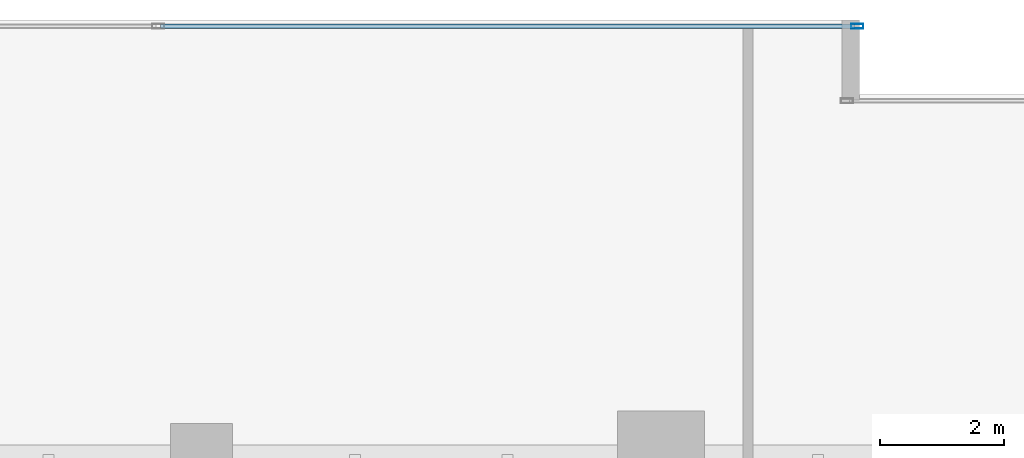
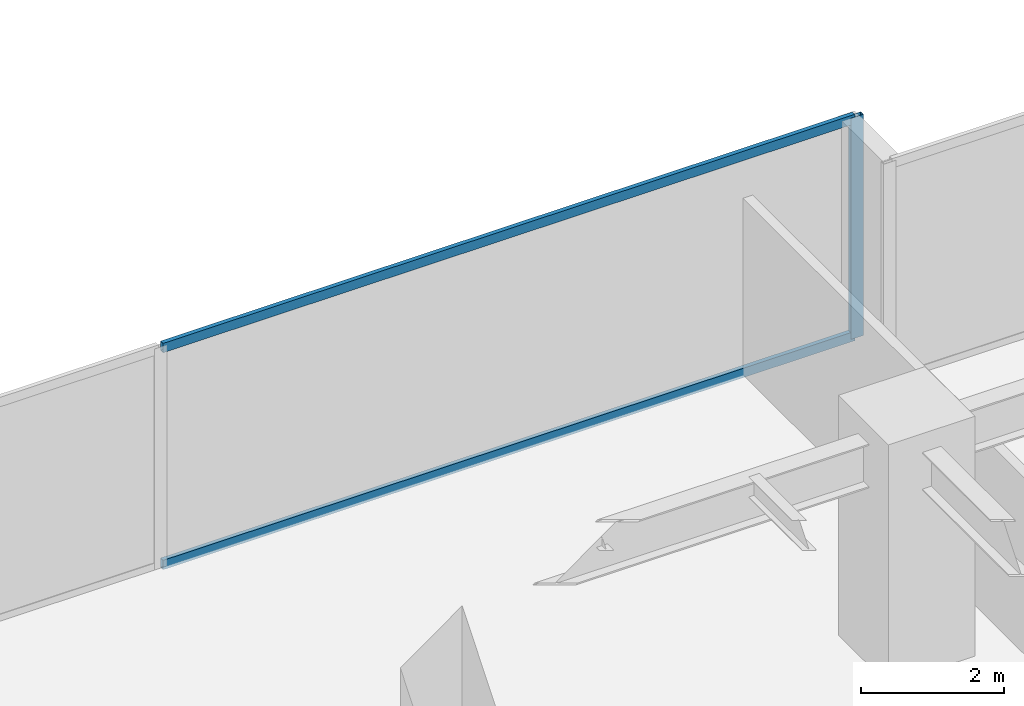
# One storey, part 16 of 35: 3 members, 1 element without a shape of its own.
"""IFC4 building model written with IfcOpenShell, lengths in metres."""

from ifc_helpers import new_model, si_unit, direction, frame, origin, origin_2d, place, context, subcontext, project, spatial, hollow_rectangle, extrude, source, transform, mapped, material, layer, layer_set, material_profile, profile_set, type_object, type_shapes, element, aggregate, save


model = new_model("IFC4")

# Units and contexts
model_context = context("Model", 3, precision=1e-05, world=origin(), true_north=direction((0.0, 1.0)))
body_context = subcontext(model_context, "Body", "Model", "MODEL_VIEW")
ifc_project = project(units=[si_unit("LENGTHUNIT", "METRE"), si_unit("AREAUNIT", "SQUARE_METRE"), si_unit("VOLUMEUNIT", "CUBIC_METRE"), si_unit("PLANEANGLEUNIT", "RADIAN"), si_unit("MASSUNIT", "GRAM", prefix="KILO")], contexts=[model_context])

# Site, building, storey
site_placement = place(None, origin())
site = spatial("IfcSite", under=ifc_project, at=site_placement, CompositionType="ELEMENT")
building_placement = place(site_placement, origin())
building = spatial("IfcBuilding", under=site, at=building_placement, Name="Haelvirn Gate Laboratories", CompositionType="ELEMENT")
storey_placement = place(building_placement, frame((0.0, 0.0, 86.699951171875)))
storey = spatial("IfcBuildingStorey", under=building, at=storey_placement, Name="L21", CompositionType="ELEMENT", Elevation=86.699951171875)

# Curtain wall, members
ifc_material_1 = material(Name="Anodised bronze unitised aluminium & triple low-E glass", Category="aluminium")
ifc_layer = layer(ifc_material_1, 0.18408203125, Name="CW-SYS-2")
ifc_layer_set = layer_set([ifc_layer], Name="Anodised bronze unitised aluminium & triple low-E glass")
curtain_wall_type = type_object("IfcCurtainWallType", Name="CW-SYS-2", PredefinedType="NOTDEFINED", material=ifc_layer_set)
curtain_wall_placement = place(storey_placement, origin())
curtain_wall = element("IfcCurtainWall", 1, at=curtain_wall_placement, inside=storey, type_object=curtain_wall_type, Name="L21 Unitised Curtain Wall CW-L21-P0-E14-1", PredefinedType="NOTDEFINED")
ifc_material_2 = material(Name="Extruded aluminium 6063-T6 (anodised bronze)", Category="aluminium")
ifc_material_profile_1 = material_profile(ifc_material_2, hollow_rectangle(XDim=0.074951171875, YDim=0.199951171875, WallThickness=0.0048828125, at=origin_2d()), Name="CWM-200x75x5")
ifc_profile_set_1 = profile_set([ifc_material_profile_1], Name="Extruded aluminium 6063-T6 (anodised bronze)")
member_type_1 = type_object("IfcMemberType", Name="CWM-T200", PredefinedType="MULLION", material=ifc_profile_set_1)
shared_shape_1 = source(origin(), body_context, "Body", "SweptSolid", [
    extrude(hollow_rectangle(XDim=0.074951171875, YDim=0.199951171875, WallThickness=0.0048828125, at=origin_2d()), origin(), (0.0, 0.0, 1.0), 3.780029296875),
])
type_shapes(member_type_1, [shared_shape_1])
member_1_placement = place(storey_placement, frame((25.362548828125, 48.5, 0.0), z_axis=(0.0, 0.0, 1.0), x_axis=(0.0, 1.0, 0.0)))
member_1 = element("IfcMember", 2, at=member_1_placement, type_object=member_type_1, Name="CW2 mullion 3", PredefinedType="MULLION", context=body_context, shape_type="MappedRepresentation", body=[
    mapped(shared_shape_1, transform((0.0, 0.0, 0.0), scale=1.0)),
])
ifc_material_profile_2 = material_profile(ifc_material_2, hollow_rectangle(XDim=0.070068359375, YDim=0.159912109375, WallThickness=0.0048828125, at=origin_2d()), Name="CWT-160x70x5")
ifc_profile_set_2 = profile_set([ifc_material_profile_2], Name="Extruded aluminium 6063-T6 (anodised bronze)")
member_type_2 = type_object("IfcMemberType", Name="CWT-T160", PredefinedType="USERDEFINED", material=ifc_profile_set_2)
shared_shape_2 = source(origin(), body_context, "Body", "SweptSolid", [
    extrude(hollow_rectangle(XDim=0.070068359375, YDim=0.159912109375, WallThickness=0.0048828125, at=origin_2d()), origin(), (0.0, 0.0, 1.0), 11.1875),
])
type_shapes(member_type_2, [shared_shape_2])
member_2_placement = place(storey_placement, frame((14.137451171875, 48.5, 0.03515625), z_axis=(1.0, 0.0, 0.0), x_axis=(0.0, 1.0, 0.0)))
member_2 = element("IfcMember", 3, at=member_2_placement, type_object=member_type_2, Name="CW2 transom 2.1", ObjectType="TRANSOM", PredefinedType="USERDEFINED", context=body_context, shape_type="MappedRepresentation", body=[
    mapped(shared_shape_2, transform((0.0, 0.0, 0.0), scale=1.0)),
])
member_3_placement = place(storey_placement, frame((14.137451171875, 48.5, 3.7451171875), z_axis=(1.0, 0.0, 0.0), x_axis=(0.0, 1.0, 0.0)))
member_3 = element("IfcMember", 4, at=member_3_placement, type_object=member_type_2, Name="CW2 transom 2.2", ObjectType="TRANSOM", PredefinedType="USERDEFINED", context=body_context, shape_type="MappedRepresentation", body=[
    mapped(shared_shape_2, transform((0.0, 0.0, 0.0), scale=1.0)),
])
aggregate(curtain_wall, [member_1, member_2, member_3])

save(model, "model.ifc")
